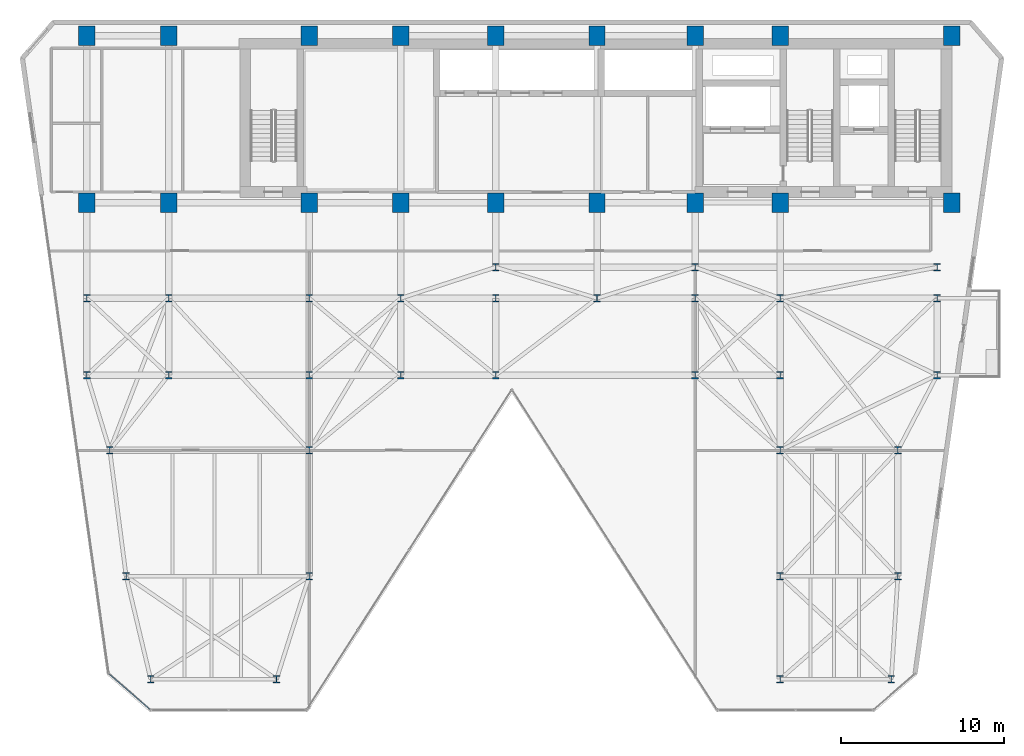
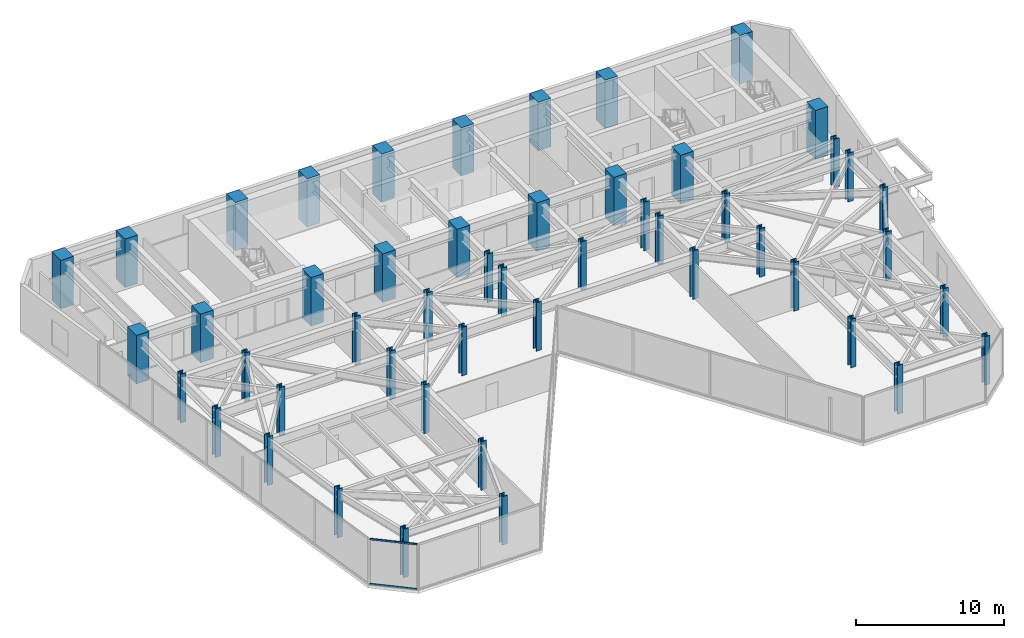
# One storey, part 1 of 26: 50 columns, 2 members, 1 element without a shape of its own.
"""IFC4 building model written with IfcOpenShell, lengths in metres."""

from ifc_helpers import new_model, si_unit, direction, frame, origin, origin_2d, place, context, subcontext, project, spatial, rectangle, hollow_rectangle, i_section, extrude, material, layer, layer_set, material_profile, profile_set, type_object, element, aggregate, save


model = new_model("IFC4")

# Units and contexts
model_context = context("Model", 3, precision=1e-05, world=origin(), true_north=direction((0.0, 1.0)))
body_context = subcontext(model_context, "Body", "Model", "MODEL_VIEW")
ifc_project = project(units=[si_unit("LENGTHUNIT", "METRE"), si_unit("AREAUNIT", "SQUARE_METRE"), si_unit("VOLUMEUNIT", "CUBIC_METRE"), si_unit("PLANEANGLEUNIT", "RADIAN"), si_unit("MASSUNIT", "GRAM", prefix="KILO")], contexts=[model_context])

# Site, building, storey
site_placement = place(None, origin())
site = spatial("IfcSite", under=ifc_project, at=site_placement, CompositionType="ELEMENT")
building_placement = place(site_placement, origin())
building = spatial("IfcBuilding", under=site, at=building_placement, Name="Kravanh Interchange Tower", CompositionType="ELEMENT")
storey_placement = place(building_placement, frame((0.0, 0.0, 144.0)))
storey = spatial("IfcBuildingStorey", under=building, at=storey_placement, Name="L34", CompositionType="ELEMENT", Elevation=144.0)

# Columns
ifc_material_1 = material(Name="Concrete C70/85", Category="concrete")
ifc_material_profile_1 = material_profile(ifc_material_1, rectangle(XDim=1.0, YDim=1.199951171875, at=origin_2d()), Name="RC1000X1200")
ifc_profile_set_1 = profile_set([ifc_material_profile_1], Name="Concrete C70/85")
column_type_1 = type_object("IfcColumnType", Name="Column RC1000X1200 Concrete C70/85", PredefinedType="COLUMN", material=ifc_profile_set_1)
for number, where, z_axis, x_axis, name in (
    (1, (66.5, 47.550048828125, 0.0), (0.0, 0.0, 1.0), (1.0, 0.0, 0.0), "L34 Column CS01"),
    (2, (56.0, 47.550048828125, 0.0), (0.0, 0.0, 1.0), (1.0, 0.0, 0.0), "L34 Column CS02"),
    (3, (66.5, 37.35009765625, 0.0), (0.0, 0.0, 1.0), (1.0, 0.0, 0.0), "L34 Column CS03"),
    (4, (56.0, 37.35009765625, 0.0), (0.0, 0.0, 1.0), (1.0, 0.0, 0.0), "L34 Column CS04"),
    (5, (50.800048828125, 47.550048828125, 0.0), (0.0, 0.0, 1.0), (1.0, 0.0, 0.0), "L34 Column CS05"),
    (6, (50.800048828125, 37.35009765625, 0.0), (0.0, 0.0, 1.0), (1.0, 0.0, 0.0), "L34 Column CS06"),
    (7, (44.800048828125, 37.35009765625, 0.0), (0.0, 0.0, 1.0), (1.0, 0.0, 0.0), "L34 Column CS07"),
    (8, (44.800048828125, 47.550048828125, 0.0), (0.0, 0.0, 1.0), (1.0, 0.0, 0.0), "L34 Column CS08"),
    (9, (38.60009765625, 37.35009765625, 0.0), (0.0, 0.0, 1.0), (1.0, 0.0, 0.0), "L34 Column CS09"),
    (10, (38.60009765625, 47.550048828125, 0.0), (0.0, 0.0, 1.0), (1.0, 0.0, 0.0), "L34 Column CS10"),
    (11, (32.800048828125, 37.35009765625, 0.0), (0.0, 0.0, 1.0), (1.0, 0.0, 0.0), "L34 Column CS11"),
    (12, (32.800048828125, 47.550048828125, 0.0), (0.0, 0.0, 1.0), (1.0, 0.0, 0.0), "L34 Column CS12"),
    (13, (27.199951171875, 37.35009765625, 0.0), (0.0, 0.0, 1.0), (1.0, 0.0, 0.0), "L34 Column CS13"),
    (14, (27.199951171875, 47.550048828125, 0.0), (0.0, 0.0, 1.0), (1.0, 0.0, 0.0), "L34 Column CS14"),
    (15, (18.60009765625, 37.35009765625, 0.0), (0.0, 0.0, 1.0), (1.0, 0.0, 0.0), "L34 Column CS17"),
    (16, (18.60009765625, 47.550048828125, 0.0), (0.0, 0.0, 1.0), (1.0, 0.0, 0.0), "L34 Column CS18"),
    (17, (13.60009765625, 37.35009765625, 0.0), (0.0, 0.0, 1.0), (1.0, 0.0, 0.0), "L34 Column CS19"),
    (18, (13.60009765625, 47.550048828125, 0.0), (0.0, 0.0, 1.0), (1.0, 0.0, 0.0), "L34 Column CS20"),
):
    element("IfcColumn", number, at=place(storey_placement, frame(where, z_axis=z_axis, x_axis=x_axis)), inside=storey, type_object=column_type_1, Name=name, PredefinedType="COLUMN", context=body_context, shape_type="SweptSolid", body=[
        extrude(rectangle(XDim=1.0, YDim=1.199951171875, at=origin_2d()), origin(), (0.0, 0.0, 1.0), 4.0),
    ])
ifc_material_2 = material(Name="Structural Steel S355", Category="steel")
ifc_material_profile_2 = material_profile(ifc_material_2, i_section(OverallWidth=0.416015625, OverallDepth=0.446044921875, WebThickness=0.0390625, FlangeThickness=0.062744140625, FilletRadius=0.030029296875, at=origin_2d()), Name="W14X342")
ifc_profile_set_2 = profile_set([ifc_material_profile_2], Name="Structural Steel S355")
column_type_2 = type_object("IfcColumnType", Name="Column W14X342 Structural Steel S355", PredefinedType="COLUMN", material=ifc_profile_set_2)
for number, where, z_axis, x_axis, name in (
    (19, (17.5, 8.199951171875, 0.0), (0.0, 0.0, 1.0), (1.0, 0.0, 0.0), "L34 Column CZ2_1"),
    (20, (13.60009765625, 26.800048828125, 0.0), (0.0, 0.0, 1.0), (1.0, 0.0, 0.0), "L34 Column CZ2_11"),
    (21, (18.60009765625, 26.800048828125, 0.0), (0.0, 0.0, 1.0), (1.0, 0.0, 0.0), "L34 Column CZ2_12"),
    (22, (27.199951171875, 26.800048828125, 0.0), (0.0, 0.0, 1.0), (1.0, 0.0, 0.0), "L34 Column CZ2_13"),
    (23, (32.800048828125, 26.800048828125, 0.0), (0.0, 0.0, 1.0), (1.0, 0.0, 0.0), "L34 Column CZ2_14"),
    (24, (38.60009765625, 26.800048828125, 0.0), (0.0, 0.0, 1.0), (1.0, 0.0, 0.0), "L34 Column CZ2_14B"),
    (25, (50.800048828125, 26.800048828125, 0.0), (0.0, 0.0, 1.0), (1.0, 0.0, 0.0), "L34 Column CZ2_15"),
    (26, (56.0, 26.800048828125, 0.0), (0.0, 0.0, 1.0), (1.0, 0.0, 0.0), "L34 Column CZ2_16"),
    (27, (65.60009765625, 26.800048828125, 0.0), (0.0, 0.0, 1.0), (1.0, 0.0, 0.0), "L34 Column CZ2_17"),
    (28, (13.60009765625, 31.5, 0.0), (0.0, 0.0, 1.0), (1.0, 0.0, 0.0), "L34 Column CZ2_18"),
    (29, (18.60009765625, 31.5, 0.0), (0.0, 0.0, 1.0), (1.0, 0.0, 0.0), "L34 Column CZ2_18B"),
    (30, (27.199951171875, 31.5, 0.0), (0.0, 0.0, 1.0), (1.0, 0.0, 0.0), "L34 Column CZ2_19"),
    (31, (25.199951171875, 8.199951171875, 0.0), (0.0, 0.0, 1.0), (1.0, 0.0, 0.0), "L34 Column CZ2_2"),
    (32, (32.800048828125, 31.5, 0.0), (0.0, 0.0, 1.0), (1.0, 0.0, 0.0), "L34 Column CZ2_20"),
    (33, (38.60009765625, 31.5, 0.0), (0.0, 0.0, 1.0), (1.0, 0.0, 0.0), "L34 Column CZ2_21"),
    (34, (44.800048828125, 31.5, 0.0), (0.0, 0.0, 1.0), (1.0, 0.0, 0.0), "L34 Column CZ2_22"),
    (35, (50.800048828125, 31.5, 0.0), (0.0, 0.0, 1.0), (1.0, 0.0, 0.0), "L34 Column CZ2_23"),
    (36, (56.0, 31.5, 0.0), (0.0, 0.0, 1.0), (1.0, 0.0, 0.0), "L34 Column CZ2_24"),
    (37, (65.60009765625, 31.5, 0.0), (0.0, 0.0, 1.0), (1.0, 0.0, 0.0), "L34 Column CZ2_25"),
    (38, (56.0, 8.199951171875, 0.0), (0.0, 0.0, 1.0), (1.0, 0.0, 0.0), "L34 Column CZ2_3"),
    (39, (62.800048828125, 8.199951171875, 0.0), (0.0, 0.0, 1.0), (1.0, 0.0, 0.0), "L34 Column CZ2_4"),
    (40, (16.0, 14.5, 0.0), (0.0, 0.0, 1.0), (1.0, 0.0, 0.0), "L34 Column CZ2_5"),
    (41, (27.199951171875, 14.5, 0.0), (0.0, 0.0, 1.0), (1.0, 0.0, 0.0), "L34 Column CZ2_5B"),
    (42, (56.0, 14.5, 0.0), (0.0, 0.0, 1.0), (1.0, 0.0, 0.0), "L34 Column CZ2_5C"),
    (43, (63.199951171875, 14.5, 0.0), (0.0, 0.0, 1.0), (1.0, 0.0, 0.0), "L34 Column CZ2_5D"),
    (44, (15.0, 22.199951171875, 0.0), (0.0, 0.0, 1.0), (1.0, 0.0, 0.0), "L34 Column CZ2_6"),
    (45, (27.199951171875, 22.199951171875, 0.0), (0.0, 0.0, 1.0), (1.0, 0.0, 0.0), "L34 Column CZ2_7"),
    (46, (56.0, 22.199951171875, 0.0), (0.0, 0.0, 1.0), (1.0, 0.0, 0.0), "L34 Column CZ2_8"),
    (47, (63.199951171875, 22.199951171875, 0.0), (0.0, 0.0, 1.0), (1.0, 0.0, 0.0), "L34 Column CZ2_9"),
    (48, (38.60009765625, 33.39990234375, 0.0), (0.0, 0.0, 1.0), (1.0, 0.0, 0.0), "L34 Column CZ2_M1"),
    (49, (50.800048828125, 33.39990234375, 0.0), (0.0, 0.0, 1.0), (1.0, 0.0, 0.0), "L34 Column CZ2_M2"),
    (50, (65.60009765625, 33.39990234375, 0.0), (0.0, 0.0, 1.0), (1.0, 0.0, 0.0), "L34 Column CZ2_M3"),
):
    element("IfcColumn", number, at=place(storey_placement, frame(where, z_axis=z_axis, x_axis=x_axis)), inside=storey, type_object=column_type_2, Name=name, PredefinedType="COLUMN", context=body_context, shape_type="SweptSolid", body=[
        extrude(i_section(OverallWidth=0.416015625, OverallDepth=0.446044921875, WebThickness=0.0390625, FlangeThickness=0.062744140625, FilletRadius=0.030029296875, at=origin_2d()), origin(), (0.0, 0.0, 1.0), 4.0),
    ])

# Curtain wall, members
ifc_material_3 = material(Name="Anodised Bronze Aluminium", Category="aluminium")
ifc_layer = layer(ifc_material_3, 0.179931640625)
ifc_layer_set = layer_set([ifc_layer], Name="Unitised Curtain Wall System CW-Z2 Mid Office")
curtain_wall_type = type_object("IfcCurtainWallType", Name="Unitised Curtain Wall System CW-Z2 Mid Office", PredefinedType="NOTDEFINED", material=ifc_layer_set)
curtain_wall_placement = place(storey_placement, origin())
curtain_wall = element("IfcCurtainWall", 51, at=curtain_wall_placement, inside=storey, type_object=curtain_wall_type, Name="L34 Unitised Curtain Wall CW-L34-07", PredefinedType="NOTDEFINED")
ifc_material_4 = material(Name="Anodised Bronze Aluminium", Category="aluminium")
ifc_material_profile_3 = material_profile(ifc_material_4, hollow_rectangle(XDim=0.06005859375, YDim=0.139892578125, WallThickness=0.00390625, at=origin_2d()), Name="ALU60X140X4")
ifc_profile_set_3 = profile_set([ifc_material_profile_3], Name="Anodised Bronze Aluminium")
member_type = type_object("IfcMemberType", Name="Curtain Wall Transom ALU60X140X4 Bronze", PredefinedType="USERDEFINED", material=ifc_profile_set_3)
member_1_placement = place(storey_placement, frame((17.444580078125, 6.359375, 0.030029296875), z_axis=(-0.754742467432, 0.656021194669, 0.0), x_axis=(-0.656021194669, -0.754742467432, 0.0)))
member_1 = element("IfcMember", 52, at=member_1_placement, type_object=member_type, Name="CW-Z2 transom 1.1", ObjectType="TRANSOM", PredefinedType="USERDEFINED", context=body_context, shape_type="SweptSolid", body=[
    extrude(hollow_rectangle(XDim=0.06005859375, YDim=0.139892578125, WallThickness=0.00390625, at=origin_2d()), origin(), (0.0, 0.0, 1.0), 3.261962890625),
])
member_2_placement = place(storey_placement, frame((17.444580078125, 6.359375, 3.719970703125), z_axis=(-0.754742467432, 0.656021194669, 0.0), x_axis=(-0.656021194669, -0.754742467432, 0.0)))
member_2 = element("IfcMember", 53, at=member_2_placement, type_object=member_type, Name="CW-Z2 transom 1.2", ObjectType="TRANSOM", PredefinedType="USERDEFINED", context=body_context, shape_type="SweptSolid", body=[
    extrude(hollow_rectangle(XDim=0.06005859375, YDim=0.139892578125, WallThickness=0.00390625, at=origin_2d()), origin(), (0.0, 0.0, 1.0), 3.261962890625),
])
aggregate(curtain_wall, [member_1, member_2])

save(model, "model.ifc")
